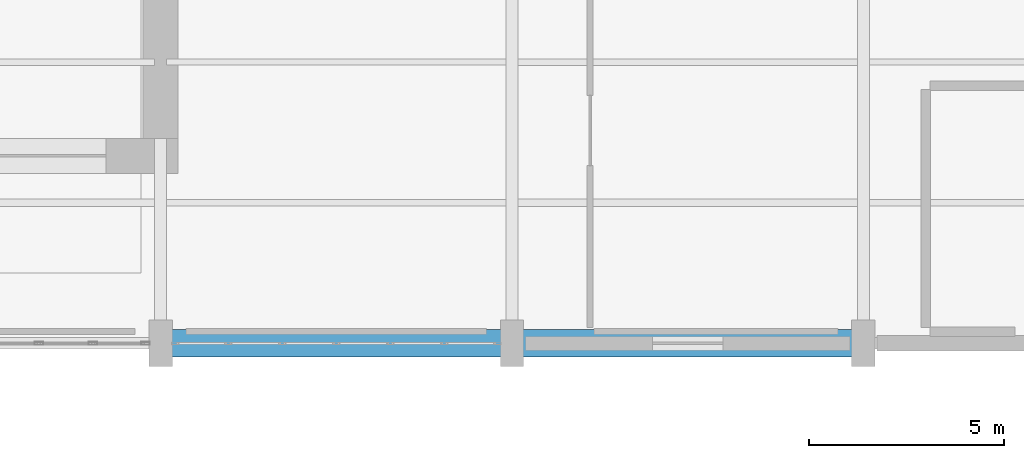
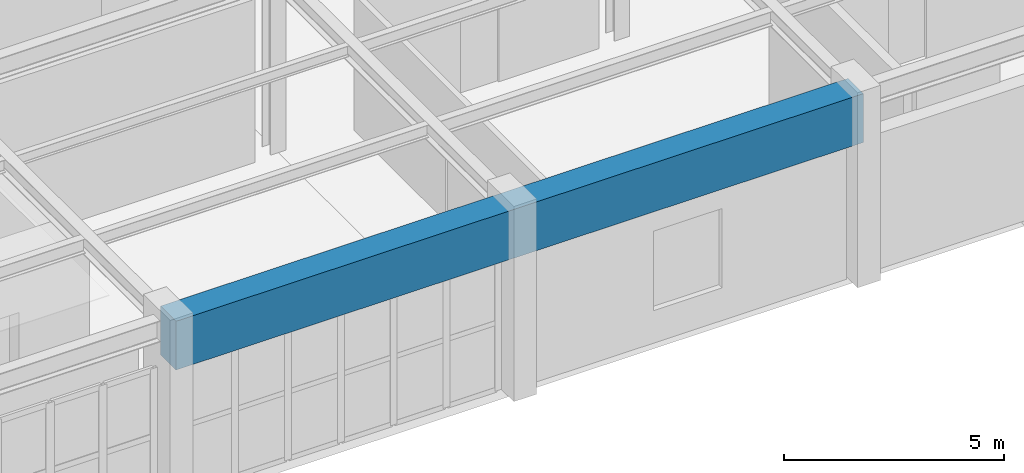
# One storey, part 27 of 140: 1 beam.
"""IFC4 building model written with IfcOpenShell, lengths in metres."""

from ifc_helpers import new_model, si_unit, direction, frame, origin, origin_2d, place, context, subcontext, project, spatial, rectangle, extrude, material, material_profile, profile_set, type_object, element, save


model = new_model("IFC4")

# Units and contexts
model_context = context("Model", 3, precision=1e-05, world=origin(), true_north=direction((0.0, 1.0)))
body_context = subcontext(model_context, "Body", "Model", "MODEL_VIEW")
ifc_project = project(units=[si_unit("LENGTHUNIT", "METRE"), si_unit("AREAUNIT", "SQUARE_METRE"), si_unit("VOLUMEUNIT", "CUBIC_METRE"), si_unit("PLANEANGLEUNIT", "RADIAN"), si_unit("MASSUNIT", "GRAM", prefix="KILO")], contexts=[model_context])

# Site, building, storey
site_placement = place(None, origin())
site = spatial("IfcSite", under=ifc_project, at=site_placement, CompositionType="ELEMENT")
building_placement = place(site_placement, origin())
building = spatial("IfcBuilding", under=site, at=building_placement, Name="Haizhuo Lancet Aquarium", CompositionType="ELEMENT")
storey_placement = place(building_placement, origin())
storey = spatial("IfcBuildingStorey", under=building, at=storey_placement, Name="L00", CompositionType="ELEMENT", Elevation=0.0)

# Beam
ifc_material = material(Name="Concrete C50/60", Category="concrete")
ifc_material_profile = material_profile(ifc_material, rectangle(XDim=0.699951171875, YDim=1.35009765625, at=origin_2d()), Name="RC-TG 700x1350")
ifc_profile_set = profile_set([ifc_material_profile], Name="Concrete C50/60")
beam_type = type_object("IfcBeamType", Name="BM-TG-700x1350", PredefinedType="USERDEFINED", material=ifc_profile_set)
beam_placement = place(storey_placement, frame((-9.0, -55.800048828125, 4.445068359375), z_axis=(1.0, 0.0, 0.0), x_axis=(0.0, 1.0, 0.0)))
element("IfcBeam", 1, at=beam_placement, inside=storey, type_object=beam_type, Name="Transfer girder BM-L00-TG03", ObjectType="TRANSFER GIRDER", PredefinedType="USERDEFINED", context=body_context, shape_type="SweptSolid", body=[
    extrude(rectangle(XDim=0.699951171875, YDim=1.35009765625, at=origin_2d()), origin(), (0.0, 0.0, 1.0), 18.0),
])

save(model, "model.ifc")
